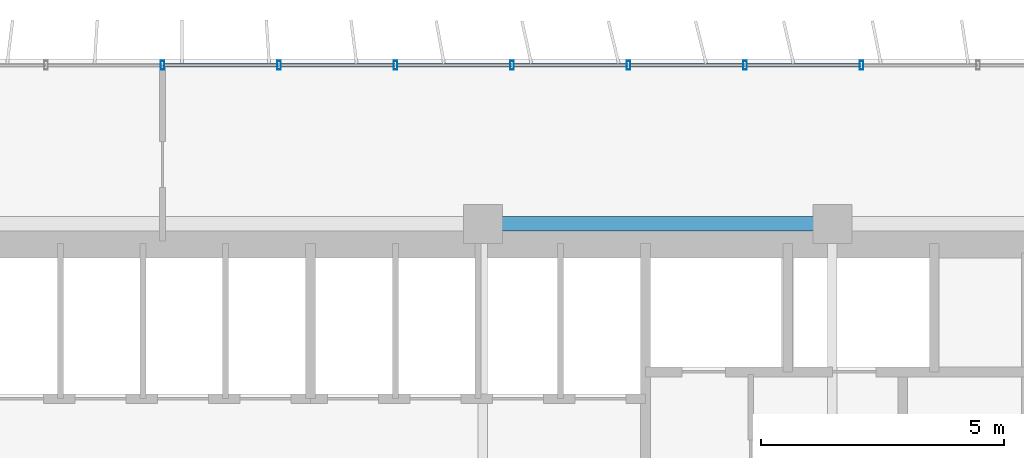
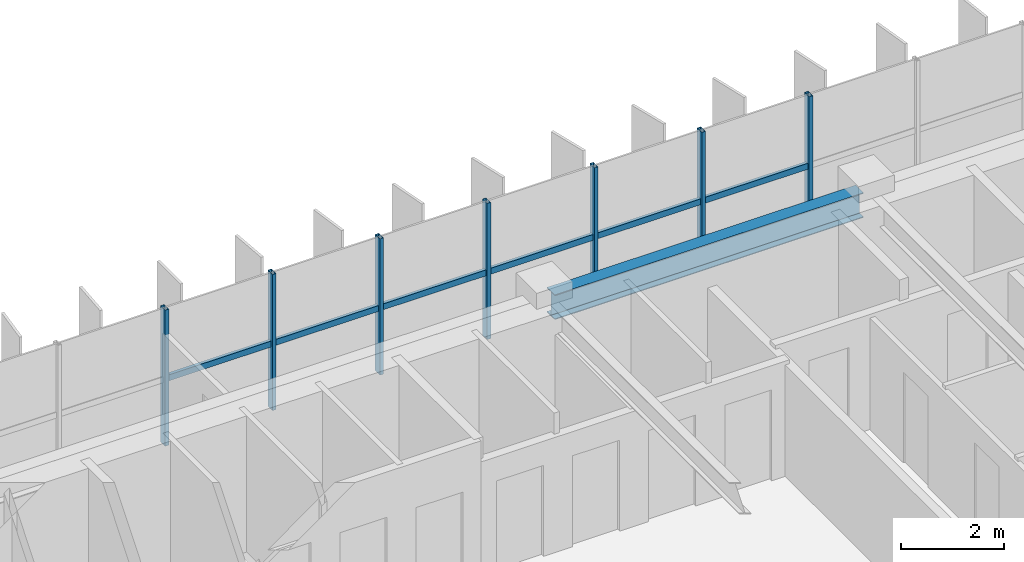
# One storey, part 13 of 26: 13 members, 1 beam, 1 element without a shape of its own.
"""IFC4 building model written with IfcOpenShell, lengths in metres."""

from ifc_helpers import new_model, si_unit, direction, frame, origin, origin_2d, place, context, subcontext, project, spatial, hollow_rectangle, i_section, extrude, source, transform, mapped, material, material_profile, profile_set, type_object, element, aggregate, save


model = new_model("IFC4")

# Units and contexts
model_context = context("Model", 3, precision=1e-05, world=origin(), true_north=direction((0.0, 1.0)))
body_context = subcontext(model_context, "Body", "Model", "MODEL_VIEW")
ifc_project = project(units=[si_unit("LENGTHUNIT", "METRE"), si_unit("AREAUNIT", "SQUARE_METRE"), si_unit("VOLUMEUNIT", "CUBIC_METRE"), si_unit("PLANEANGLEUNIT", "RADIAN"), si_unit("MASSUNIT", "GRAM", prefix="KILO")], contexts=[model_context])

# Site, building, storey
site_placement = place(None, origin())
site = spatial("IfcSite", under=ifc_project, at=site_placement, CompositionType="ELEMENT")
building_placement = place(site_placement, origin())
building = spatial("IfcBuilding", under=site, at=building_placement, Name="Trelvane Seafront Commons", CompositionType="ELEMENT")
storey_placement = place(building_placement, frame((0.0, 0.0, 128.5)))
storey = spatial("IfcBuildingStorey", under=building, at=storey_placement, Name="L33", CompositionType="ELEMENT", Elevation=128.5)

# Beam
ifc_material_1 = material(Name="Steel SM355 (S355)", Category="steel")
ifc_material_profile_1 = material_profile(ifc_material_1, i_section(OverallWidth=0.300048828125, OverallDepth=0.587890625, WebThickness=0.011962890625, FlangeThickness=0.02001953125, at=origin_2d()), Name="H-588x300x12x20")
ifc_profile_set_1 = profile_set([ifc_material_profile_1], Name="Steel SM355 (S355)")
beam_type = type_object("IfcBeamType", Name="STR-BM-H588", PredefinedType="BEAM", material=ifc_profile_set_1)
shared_shape_1 = source(origin(), body_context, "Body", "SweptSolid", [
    extrude(i_section(OverallWidth=0.300048828125, OverallDepth=0.587890625, WebThickness=0.011962890625, FlangeThickness=0.02001953125, at=origin_2d()), origin(), (0.0, 0.0, 1.0), 6.900146484375),
])
beam_placement = place(storey_placement, frame((43.949951171875, 45.10009765625, 2.926025390625), z_axis=(1.0, 0.0, 0.0), x_axis=(0.0, 1.0, 0.0)))
element("IfcBeam", 1, at=beam_placement, inside=storey, type_object=beam_type, Name="L33 Primary Girder G-33", PredefinedType="BEAM", context=body_context, shape_type="MappedRepresentation", body=[
    mapped(shared_shape_1, transform((0.0, 0.0, 0.0), x_axis=(1.0, 0.0, 0.0), y_axis=(0.0, 1.0, 0.0), z_axis=(0.0, 0.0, 1.0), scale=1.0)),
])

# Curtain wall, members
ifc_material_2 = material(Name="Anodised pale-silver aluminium", Category="aluminium")
curtain_wall_type = type_object("IfcCurtainWallType", Name="ARCH-CW4-SKYLOBBY", PredefinedType="NOTDEFINED", material=ifc_material_2)
curtain_wall_placement = place(storey_placement, origin())
curtain_wall = element("IfcCurtainWall", 2, at=curtain_wall_placement, inside=storey, type_object=curtain_wall_type, Name="CW-L33-0059", PredefinedType="NOTDEFINED")
ifc_material_profile_2 = material_profile(ifc_material_2, hollow_rectangle(XDim=0.074951171875, YDim=0.139892578125, WallThickness=0.00390625, at=origin_2d()), Name="TRAN-75x140x4")
ifc_profile_set_2 = profile_set([ifc_material_profile_2], Name="Anodised pale-silver aluminium")
member_type_1 = type_object("IfcMemberType", Name="ARCH-CW-TRAN-140", PredefinedType="USERDEFINED", material=ifc_profile_set_2)
shared_shape_2 = source(origin(), body_context, "Body", "SweptSolid", [
    extrude(hollow_rectangle(XDim=0.074951171875, YDim=0.139892578125, WallThickness=0.00390625, at=origin_2d()), origin(), (0.0, 0.0, 1.0), 2.3759765625),
])
member_1_placement = place(storey_placement, frame((37.2119140625, 48.3701171875, 1.5458984375), z_axis=(1.0, 0.0, 0.0), x_axis=(0.0, 1.0, 0.0)))
member_1 = element("IfcMember", 3, at=member_1_placement, type_object=member_type_1, Name="CW-L33-0059-T09", ObjectType="TRANSOM", PredefinedType="USERDEFINED", context=body_context, shape_type="MappedRepresentation", body=[
    mapped(shared_shape_2, transform((0.0, 0.0, 0.0), x_axis=(1.0, 0.0, 0.0), y_axis=(0.0, 1.0, 0.0), z_axis=(0.0, 0.0, 1.0), scale=1.0)),
])
member_2_placement = place(storey_placement, frame((39.612060546875, 48.3701171875, 1.5458984375), z_axis=(1.0, 0.0, 0.0), x_axis=(0.0, 1.0, 0.0)))
member_2 = element("IfcMember", 4, at=member_2_placement, type_object=member_type_1, Name="CW-L33-0059-T10", ObjectType="TRANSOM", PredefinedType="USERDEFINED", context=body_context, shape_type="MappedRepresentation", body=[
    mapped(shared_shape_2, transform((0.0, 0.0, 0.0), x_axis=(1.0, 0.0, 0.0), y_axis=(0.0, 1.0, 0.0), z_axis=(0.0, 0.0, 1.0), scale=1.0)),
])
member_3_placement = place(storey_placement, frame((42.011962890625, 48.3701171875, 1.5458984375), z_axis=(1.0, 0.0, 0.0), x_axis=(0.0, 1.0, 0.0)))
member_3 = element("IfcMember", 5, at=member_3_placement, type_object=member_type_1, Name="CW-L33-0059-T11", ObjectType="TRANSOM", PredefinedType="USERDEFINED", context=body_context, shape_type="MappedRepresentation", body=[
    mapped(shared_shape_2, transform((0.0, 0.0, 0.0), x_axis=(1.0, 0.0, 0.0), y_axis=(0.0, 1.0, 0.0), z_axis=(0.0, 0.0, 1.0), scale=1.0)),
])
member_4_placement = place(storey_placement, frame((44.412109375, 48.3701171875, 1.5458984375), z_axis=(1.0, 0.0, 0.0), x_axis=(0.0, 1.0, 0.0)))
member_4 = element("IfcMember", 6, at=member_4_placement, type_object=member_type_1, Name="CW-L33-0059-T12", ObjectType="TRANSOM", PredefinedType="USERDEFINED", context=body_context, shape_type="MappedRepresentation", body=[
    mapped(shared_shape_2, transform((0.0, 0.0, 0.0), x_axis=(1.0, 0.0, 0.0), y_axis=(0.0, 1.0, 0.0), z_axis=(0.0, 0.0, 1.0), scale=1.0)),
])
member_5_placement = place(storey_placement, frame((46.81201171875, 48.3701171875, 1.5458984375), z_axis=(1.0, 0.0, 0.0), x_axis=(0.0, 1.0, 0.0)))
member_5 = element("IfcMember", 7, at=member_5_placement, type_object=member_type_1, Name="CW-L33-0059-T13", ObjectType="TRANSOM", PredefinedType="USERDEFINED", context=body_context, shape_type="MappedRepresentation", body=[
    mapped(shared_shape_2, transform((0.0, 0.0, 0.0), x_axis=(1.0, 0.0, 0.0), y_axis=(0.0, 1.0, 0.0), z_axis=(0.0, 0.0, 1.0), scale=1.0)),
])
member_6_placement = place(storey_placement, frame((49.2119140625, 48.3701171875, 1.5458984375), z_axis=(1.0, 0.0, 0.0), x_axis=(0.0, 1.0, 0.0)))
member_6 = element("IfcMember", 8, at=member_6_placement, type_object=member_type_1, Name="CW-L33-0059-T14", ObjectType="TRANSOM", PredefinedType="USERDEFINED", context=body_context, shape_type="MappedRepresentation", body=[
    mapped(shared_shape_2, transform((0.0, 0.0, 0.0), x_axis=(1.0, 0.0, 0.0), y_axis=(0.0, 1.0, 0.0), z_axis=(0.0, 0.0, 1.0), scale=1.0)),
])
ifc_material_profile_3 = material_profile(ifc_material_2, hollow_rectangle(XDim=0.080078125, YDim=0.179931640625, WallThickness=0.00439453125, at=origin_2d()), Name="MULL-80x180x4.5")
ifc_profile_set_3 = profile_set([ifc_material_profile_3], Name="Anodised pale-silver aluminium")
member_type_2 = type_object("IfcMemberType", Name="ARCH-CW-MULL-180", PredefinedType="MULLION", material=ifc_profile_set_3)
shared_shape_3 = source(origin(), body_context, "Body", "SweptSolid", [
    extrude(hollow_rectangle(XDim=0.080078125, YDim=0.179931640625, WallThickness=0.00439453125, at=origin_2d()), origin(), (0.0, 0.0, 1.0), 3.219970703125),
])
member_7_placement = place(storey_placement, frame((37.199951171875, 48.3701171875, 0.0), z_axis=(0.0, 0.0, 1.0), x_axis=(1.0, 0.0, 0.0)))
member_7 = element("IfcMember", 9, at=member_7_placement, type_object=member_type_2, Name="CW-L33-0059-M09", PredefinedType="MULLION", context=body_context, shape_type="MappedRepresentation", body=[
    mapped(shared_shape_3, transform((0.0, 0.0, 0.0), x_axis=(1.0, 0.0, 0.0), y_axis=(0.0, 1.0, 0.0), z_axis=(0.0, 0.0, 1.0), scale=1.0)),
])
member_8_placement = place(storey_placement, frame((39.60009765625, 48.3701171875, 0.0), z_axis=(0.0, 0.0, 1.0), x_axis=(1.0, 0.0, 0.0)))
member_8 = element("IfcMember", 10, at=member_8_placement, type_object=member_type_2, Name="CW-L33-0059-M10", PredefinedType="MULLION", context=body_context, shape_type="MappedRepresentation", body=[
    mapped(shared_shape_3, transform((0.0, 0.0, 0.0), x_axis=(1.0, 0.0, 0.0), y_axis=(0.0, 1.0, 0.0), z_axis=(0.0, 0.0, 1.0), scale=1.0)),
])
member_9_placement = place(storey_placement, frame((42.0, 48.3701171875, 0.0), z_axis=(0.0, 0.0, 1.0), x_axis=(1.0, 0.0, 0.0)))
member_9 = element("IfcMember", 11, at=member_9_placement, type_object=member_type_2, Name="CW-L33-0059-M11", PredefinedType="MULLION", context=body_context, shape_type="MappedRepresentation", body=[
    mapped(shared_shape_3, transform((0.0, 0.0, 0.0), x_axis=(1.0, 0.0, 0.0), y_axis=(0.0, 1.0, 0.0), z_axis=(0.0, 0.0, 1.0), scale=1.0)),
])
member_10_placement = place(storey_placement, frame((44.39990234375, 48.3701171875, 0.0), z_axis=(0.0, 0.0, 1.0), x_axis=(1.0, 0.0, 0.0)))
member_10 = element("IfcMember", 12, at=member_10_placement, type_object=member_type_2, Name="CW-L33-0059-M12", PredefinedType="MULLION", context=body_context, shape_type="MappedRepresentation", body=[
    mapped(shared_shape_3, transform((0.0, 0.0, 0.0), x_axis=(1.0, 0.0, 0.0), y_axis=(0.0, 1.0, 0.0), z_axis=(0.0, 0.0, 1.0), scale=1.0)),
])
member_11_placement = place(storey_placement, frame((46.800048828125, 48.3701171875, 0.0), z_axis=(0.0, 0.0, 1.0), x_axis=(1.0, 0.0, 0.0)))
member_11 = element("IfcMember", 13, at=member_11_placement, type_object=member_type_2, Name="CW-L33-0059-M13", PredefinedType="MULLION", context=body_context, shape_type="MappedRepresentation", body=[
    mapped(shared_shape_3, transform((0.0, 0.0, 0.0), x_axis=(1.0, 0.0, 0.0), y_axis=(0.0, 1.0, 0.0), z_axis=(0.0, 0.0, 1.0), scale=1.0)),
])
member_12_placement = place(storey_placement, frame((49.199951171875, 48.3701171875, 0.0), z_axis=(0.0, 0.0, 1.0), x_axis=(1.0, 0.0, 0.0)))
member_12 = element("IfcMember", 14, at=member_12_placement, type_object=member_type_2, Name="CW-L33-0059-M14", PredefinedType="MULLION", context=body_context, shape_type="MappedRepresentation", body=[
    mapped(shared_shape_3, transform((0.0, 0.0, 0.0), x_axis=(1.0, 0.0, 0.0), y_axis=(0.0, 1.0, 0.0), z_axis=(0.0, 0.0, 1.0), scale=1.0)),
])
member_13_placement = place(storey_placement, frame((51.60009765625, 48.3701171875, 0.0), z_axis=(0.0, 0.0, 1.0), x_axis=(1.0, 0.0, 0.0)))
member_13 = element("IfcMember", 15, at=member_13_placement, type_object=member_type_2, Name="CW-L33-0059-M15", PredefinedType="MULLION", context=body_context, shape_type="MappedRepresentation", body=[
    mapped(shared_shape_3, transform((0.0, 0.0, 0.0), x_axis=(1.0, 0.0, 0.0), y_axis=(0.0, 1.0, 0.0), z_axis=(0.0, 0.0, 1.0), scale=1.0)),
])
aggregate(curtain_wall, [member_7, member_8, member_9, member_10, member_11, member_12, member_13, member_1, member_2, member_3, member_4, member_5, member_6])

save(model, "model.ifc")
